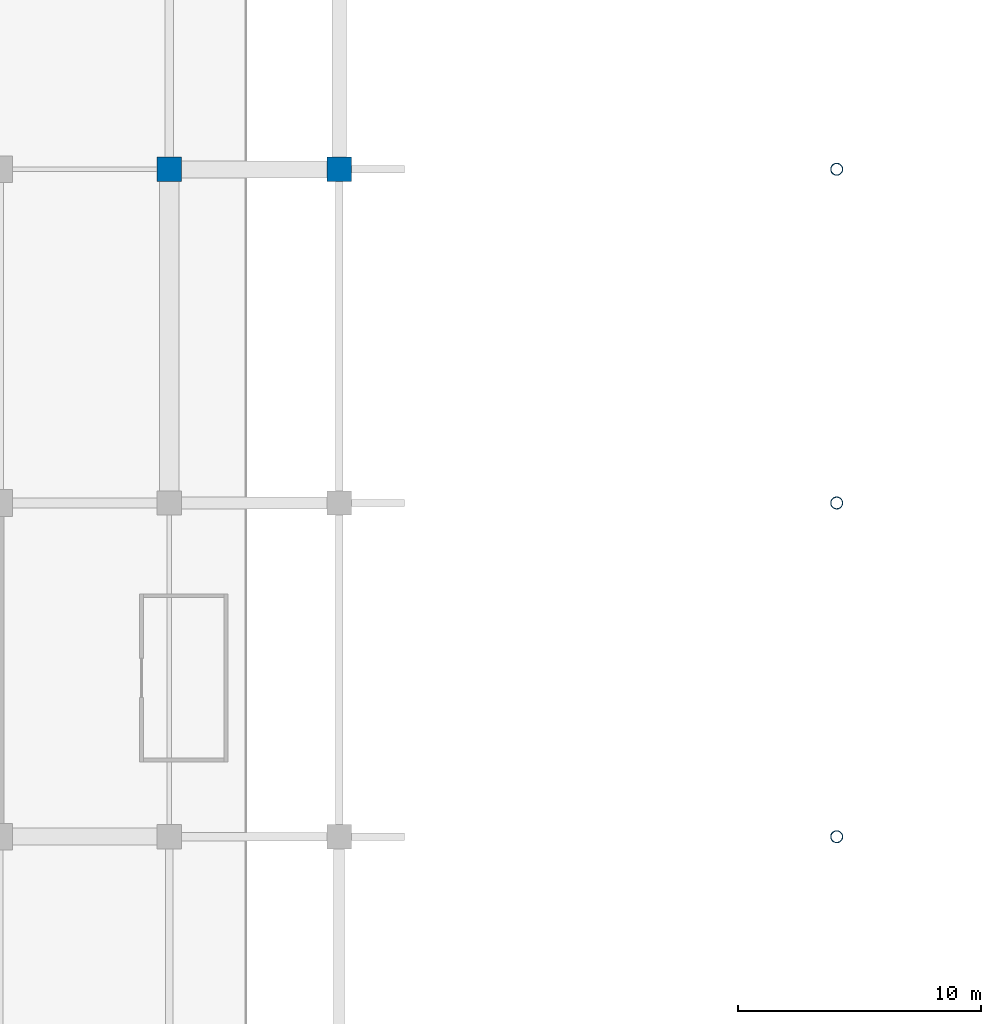
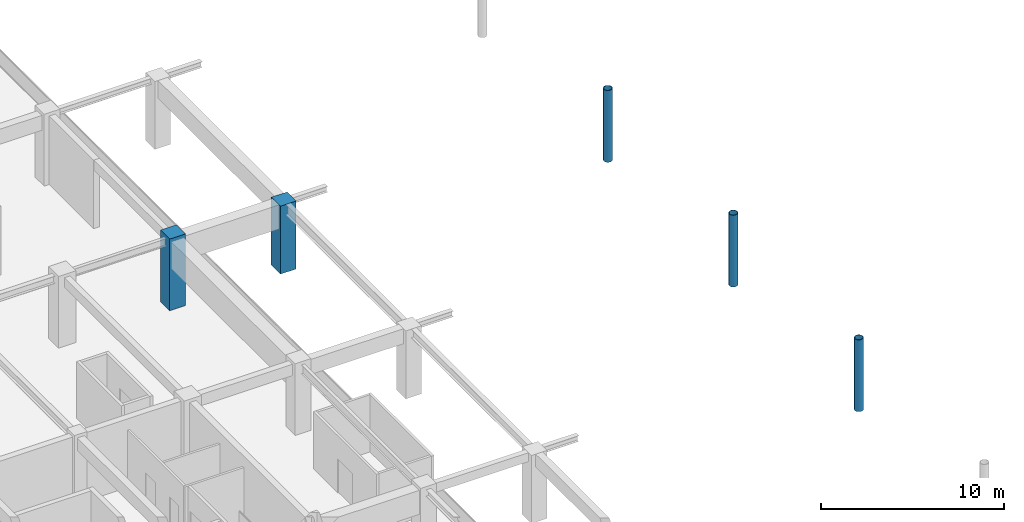
# One storey, part 7 of 91: 5 columns.
"""IFC4 building model written with IfcOpenShell, lengths in metres."""

from ifc_helpers import new_model, si_unit, direction, frame, origin, origin_2d, place, context, subcontext, project, spatial, rectangle, hollow_circle, extrude, material, material_profile, profile_set, type_object, element, save


model = new_model("IFC4")

# Units and contexts
model_context = context("Model", 3, precision=1e-05, world=origin(), true_north=direction((0.0, 1.0)))
body_context = subcontext(model_context, "Body", "Model", "MODEL_VIEW")
ifc_project = project(units=[si_unit("LENGTHUNIT", "METRE"), si_unit("AREAUNIT", "SQUARE_METRE"), si_unit("VOLUMEUNIT", "CUBIC_METRE"), si_unit("PLANEANGLEUNIT", "RADIAN"), si_unit("MASSUNIT", "GRAM", prefix="KILO")], contexts=[model_context])

# Site, building, storey
site_placement = place(None, origin())
site = spatial("IfcSite", under=ifc_project, at=site_placement, CompositionType="ELEMENT")
building_placement = place(site_placement, origin())
building = spatial("IfcBuilding", under=site, at=building_placement, Name="Linyun Crest Stadium", CompositionType="ELEMENT")
storey_placement = place(building_placement, frame((0.0, 0.0, 11.39990234375)))
storey = spatial("IfcBuildingStorey", under=building, at=storey_placement, Name="L03", CompositionType="ELEMENT", Elevation=11.39990234375)

# Columns
ifc_material_1 = material(Name="Concrete C50", Category="concrete")
ifc_material_profile_1 = material_profile(ifc_material_1, rectangle(XDim=1.0, YDim=1.0, at=origin_2d()), Name="RC 1000x1000")
ifc_profile_set_1 = profile_set([ifc_material_profile_1], Name="Concrete C50")
column_type_1 = type_object("IfcColumnType", Name="C05", PredefinedType="COLUMN", material=ifc_profile_set_1)
column_1_placement = place(storey_placement, frame((-63.0, 29.625, 0.0), z_axis=(0.0, 0.0, 1.0), x_axis=(1.0, 0.0, 0.0)))
element("IfcColumn", 1, at=column_1_placement, inside=storey, type_object=column_type_1, Name="Column C05 L03 234", PredefinedType="COLUMN", context=body_context, shape_type="SweptSolid", body=[
    extrude(rectangle(XDim=1.0, YDim=1.0, at=origin_2d()), origin(), (0.0, 0.0, 1.0), 4.798095703125),
])
column_2_placement = place(storey_placement, frame((-56.0, 29.625, 0.0), z_axis=(0.0, 0.0, 1.0), x_axis=(1.0, 0.0, 0.0)))
element("IfcColumn", 2, at=column_2_placement, inside=storey, type_object=column_type_1, Name="Column C05 L03 268", PredefinedType="COLUMN", context=body_context, shape_type="SweptSolid", body=[
    extrude(rectangle(XDim=1.0, YDim=1.0, at=origin_2d()), origin(), (0.0, 0.0, 1.0), 4.5400390625),
])
ifc_material_2 = material(Name="Steel Q355C", Category="steel")
ifc_material_profile_2 = material_profile(ifc_material_2, hollow_circle(Radius=0.25390625, WallThickness=0.02490234375, at=origin_2d()), Name="CHS 508x25")
ifc_profile_set_2 = profile_set([ifc_material_profile_2], Name="Steel Q355C")
column_type_2 = type_object("IfcColumnType", Name="SC05", PredefinedType="COLUMN", material=ifc_profile_set_2)
for number, where, z_axis, x_axis, name in (
    (3, (-35.5, 2.125, 0.0), (0.0, 0.0, 1.0), (1.0, 0.0, 0.0), "Arch colonnade column SC05 L03 10"),
    (4, (-35.5, 15.875, 0.0), (0.0, 0.0, 1.0), (1.0, 0.0, 0.0), "Arch colonnade column SC05 L03 12"),
    (5, (-35.5, 29.625, 0.0), (0.0, 0.0, 1.0), (1.0, 0.0, 0.0), "Arch colonnade column SC05 L03 14"),
):
    element("IfcColumn", number, at=place(storey_placement, frame(where, z_axis=z_axis, x_axis=x_axis)), inside=storey, type_object=column_type_2, Name=name, PredefinedType="COLUMN", context=body_context, shape_type="SweptSolid", body=[
        extrude(hollow_circle(Radius=0.25390625, WallThickness=0.02490234375, at=origin_2d()), origin(), (0.0, 0.0, 1.0), 4.800048828125),
    ])

save(model, "model.ifc")
